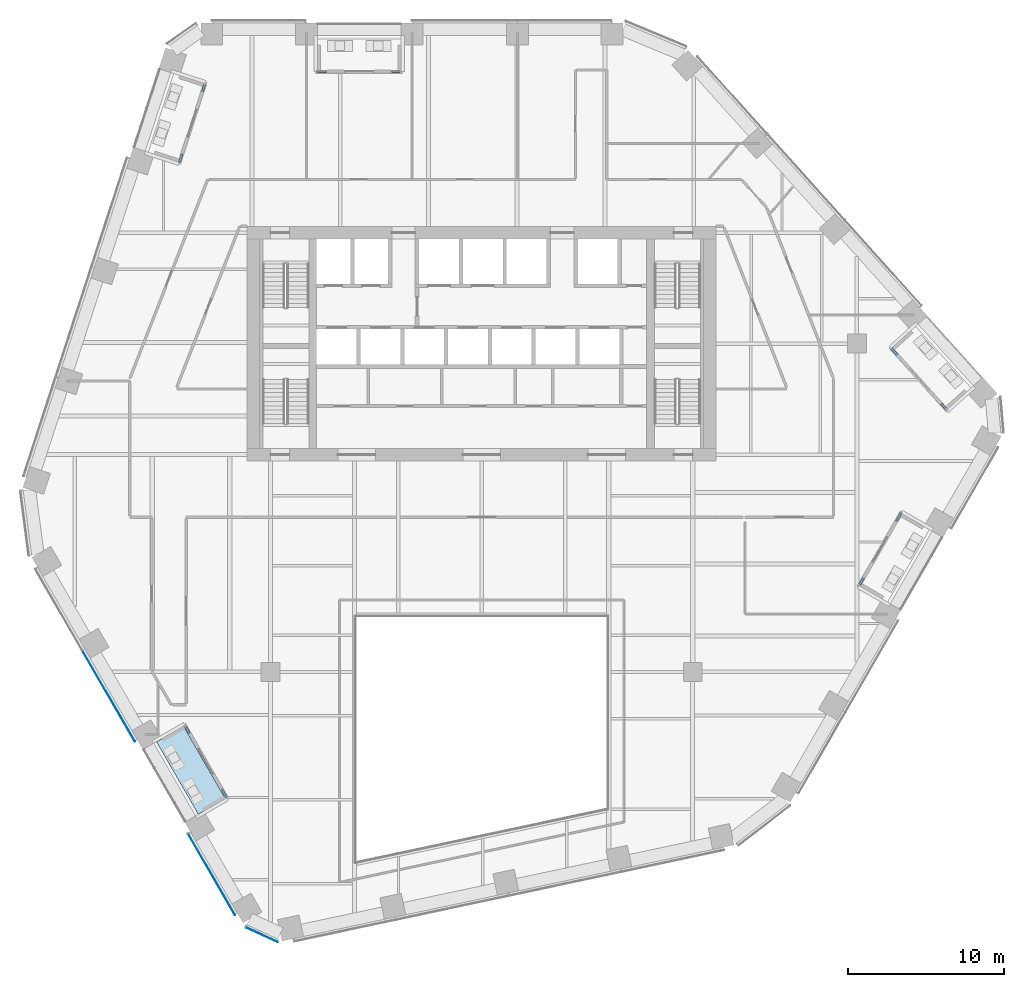
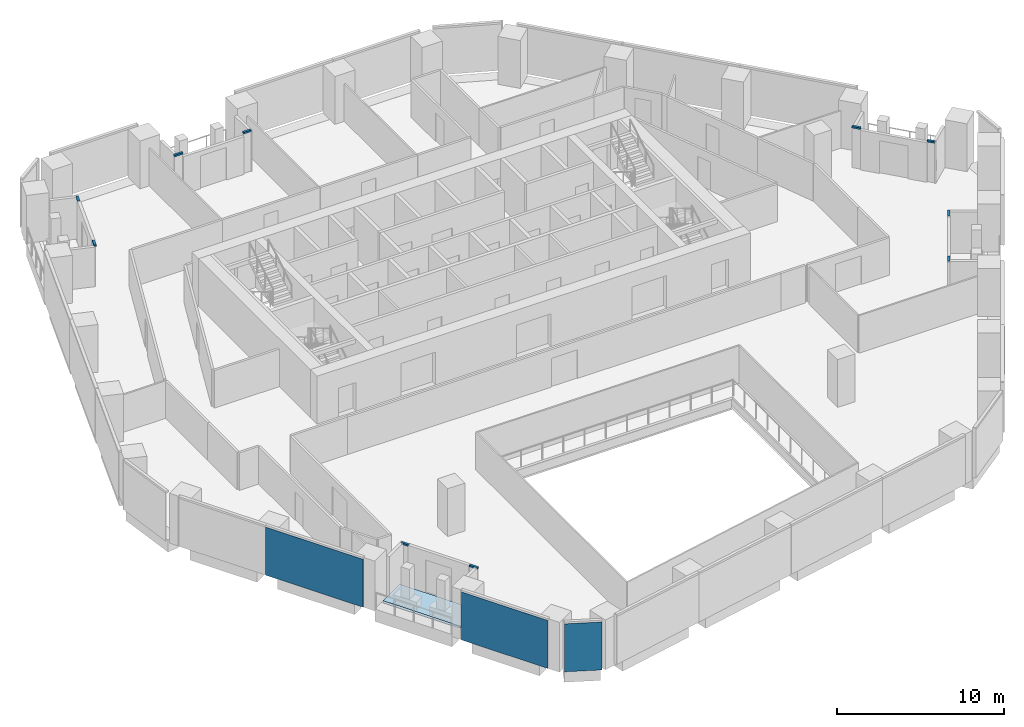
# One storey, part 12 of 26: 10 members, 3 plates, 1 slab, 7 elements without a shape of their own.
"""IFC4 building model written with IfcOpenShell, lengths in metres."""

import ifcopenshell
import ifcopenshell.guid

model = None  # the IFC model being written
_history = None  # IfcOwnerHistory: only IFC2X3 demands one
_inside = {}  # id of a spatial element -> (the spatial element, [elements in it])
_under = {}  # id of a project, library or spatial element -> (it, [spatial elements below it])
_declared = {}  # id of a project -> (the project, [libraries it declares])
_typed = {}  # id of a type object -> (the type object, [elements of that type])
_made_of = {}  # id of a material, layer set ... -> (it, [elements and type objects made of it])


def new_model(schema):
    """Start an empty IFC model of exactly this schema.

    Asked for "IFC4X3", IfcOpenShell would pick the latest addendum, in which some entities
    have other attributes; the version numbers below select the first issue.
    IFC2X3 requires an IfcOwnerHistory on every rooted entity: one is made here for all.
    """
    global model, _history
    if schema == "IFC4X3":
        model = ifcopenshell.file(schema_version=(4, 3, 0, 0))
    else:
        model = ifcopenshell.file(schema=schema)
    _inside.clear()
    _under.clear()
    _declared.clear()
    _typed.clear()
    _made_of.clear()
    _history = None
    if model.schema == "IFC2X3":
        org = make("IfcOrganization", Name="unknown")
        user = make(
            "IfcPersonAndOrganization",
            ThePerson=make("IfcPerson", FamilyName="unknown"),
            TheOrganization=org,
        )
        app = make(
            "IfcApplication",
            ApplicationDeveloper=org,
            Version="unknown",
            ApplicationFullName="unknown",
            ApplicationIdentifier="unknown",
        )
        _history = make(
            "IfcOwnerHistory",
            OwningUser=user,
            OwningApplication=app,
            ChangeAction="ADDED",
            CreationDate=0,
        )
    return model


def make(cls, **values):
    """One entity of the class cls with the attributes given. An attribute that is None is left unset."""
    return model.create_entity(
        cls, **{name: value for name, value in values.items() if value is not None}
    )


def rooted(cls, **values):
    """An entity with a GlobalId (a new one), such as an element, a storey or a relation."""
    return make(cls, GlobalId=ifcopenshell.guid.new(), OwnerHistory=_history, **values)


def si_unit(unit_type, name, prefix=None):
    """IfcSIUnit, for example si_unit("LENGTHUNIT", "METRE", prefix="MILLI")."""
    return make("IfcSIUnit", UnitType=unit_type, Prefix=prefix, Name=name)


def assignment(units):
    """IfcUnitAssignment: the units of a project."""
    return None if units is None else make("IfcUnitAssignment", Units=units)


def point(xyz):
    """IfcCartesianPoint."""
    return None if xyz is None else make("IfcCartesianPoint", Coordinates=xyz)


def direction(xyz):
    """IfcDirection."""
    return None if xyz is None else make("IfcDirection", DirectionRatios=xyz)


def frame(location, z_axis=None, x_axis=None):
    """IfcAxis2Placement3D, a coordinate frame: its origin and axes. An axis left out is left unset."""
    return make(
        "IfcAxis2Placement3D",
        Location=point(location),
        Axis=direction(z_axis),
        RefDirection=direction(x_axis),
    )


def frame_2d(location, x_axis=None):
    """IfcAxis2Placement2D, a coordinate frame in the plane: its origin and x axis."""
    return make(
        "IfcAxis2Placement2D", Location=point(location), RefDirection=direction(x_axis)
    )


def origin():
    """The frame at (0, 0, 0) with its axes left unset."""
    return frame((0.0, 0.0, 0.0))


def origin_2d():
    """The frame at (0, 0) in the plane with its x axis left unset."""
    return frame_2d((0.0, 0.0))


def place(relative_to, where):
    """IfcLocalPlacement: puts the frame where relative to a parent placement (None: the world)."""
    return make(
        "IfcLocalPlacement", PlacementRelTo=relative_to, RelativePlacement=where
    )


def context(
    kind, dimensions, precision=None, world=None, true_north=None, identifier=None
):
    """IfcGeometricRepresentationContext, for example the 3D "Model" context."""
    return make(
        "IfcGeometricRepresentationContext",
        ContextIdentifier=identifier,
        ContextType=kind,
        CoordinateSpaceDimension=dimensions,
        Precision=precision,
        WorldCoordinateSystem=world,
        TrueNorth=true_north,
    )


def subcontext(parent, identifier, kind, view, scale=None):
    """IfcGeometricRepresentationSubContext, for example "Body" below "Model"."""
    return make(
        "IfcGeometricRepresentationSubContext",
        ContextIdentifier=identifier,
        ContextType=kind,
        ParentContext=parent,
        TargetScale=scale,
        TargetView=view,
    )


def project(units=None, contexts=None):
    """IfcProject with its units and contexts."""
    return rooted(
        "IfcProject",
        Name="project",
        RepresentationContexts=contexts,
        UnitsInContext=assignment(units),
    )


def spatial(cls, under=None, at=None, **own):
    """A site, building, storey or space (cls), placed at a placement, below another one or the project."""
    s = rooted(cls, ObjectPlacement=at, **own)
    if under is not None:
        _under.setdefault(under.id(), (under, []))[1].append(s)
    return s


def polyline(points):
    """IfcPolyline through the points."""
    return make("IfcPolyline", Points=[point(p) for p in points])


def profile(cls, at=None, kind="AREA", **sizes):
    """A parametric profile (cls). Its sizes go by their IFC names, for example OverallWidth=200.0."""
    return make(cls, ProfileType=kind, Position=at, **sizes)


def rectangle(**sizes):
    """IfcRectangleProfileDef."""
    return profile("IfcRectangleProfileDef", **sizes)


def outline(outer, holes=None, kind="AREA"):
    """IfcArbitraryClosedProfileDef: a profile drawn as a closed curve; with holes, ...WithVoids."""
    if holes is None:
        return make("IfcArbitraryClosedProfileDef", ProfileType=kind, OuterCurve=outer)
    return make(
        "IfcArbitraryProfileDefWithVoids",
        ProfileType=kind,
        OuterCurve=outer,
        InnerCurves=holes,
    )


def extrude(swept, where, along, depth):
    """IfcExtrudedAreaSolid: the profile swept, set in the frame where, extruded along a direction by depth."""
    return make(
        "IfcExtrudedAreaSolid",
        SweptArea=swept,
        Position=where,
        ExtrudedDirection=direction(along),
        Depth=depth,
    )


def shape(context_of_items, identifier, shape_type, items):
    """IfcShapeRepresentation: the items that make up one representation, for example the "Body"."""
    return make(
        "IfcShapeRepresentation",
        ContextOfItems=context_of_items,
        RepresentationIdentifier=identifier,
        RepresentationType=shape_type,
        Items=items,
    )


def material(Name=None, Category=None):
    """IfcMaterial."""
    return make("IfcMaterial", Name=Name, Category=Category)


def layer(
    of_material, thickness, ventilated=None, Name=None, Category=None, Priority=None
):
    """IfcMaterialLayer: one layer of a wall or slab, of a material (None: an air gap)."""
    return make(
        "IfcMaterialLayer",
        Material=of_material,
        LayerThickness=thickness,
        IsVentilated=ventilated,
        Name=Name,
        Category=Category,
        Priority=Priority,
    )


def layer_set(layers, Name=None):
    """IfcMaterialLayerSet."""
    return make("IfcMaterialLayerSet", MaterialLayers=layers, LayerSetName=Name)


def material_profile(
    of_material, cross_section, Name=None, Category=None, Priority=None
):
    """IfcMaterialProfile: a cross section and its material."""
    return make(
        "IfcMaterialProfile",
        Name=Name,
        Material=of_material,
        Profile=cross_section,
        Priority=Priority,
        Category=Category,
    )


def profile_set(profiles, Name=None, composite=None):
    """IfcMaterialProfileSet."""
    return make(
        "IfcMaterialProfileSet",
        Name=Name,
        MaterialProfiles=profiles,
        CompositeProfile=composite,
    )


def made_of(thing, what):
    """Note that an element or type object is made of a material, layer set ...; save() writes the relation."""
    if what is not None:
        _made_of.setdefault(what.id(), (what, []))[1].append(thing)
    return thing


def type_object(cls, material=None, **own):
    """A type object (cls), such as IfcWallType, which elements share."""
    return made_of(rooted(cls, **own), material)


def element(
    cls,
    number,
    at=None,
    inside=None,
    cuts=None,
    type_object=None,
    material=None,
    context=None,
    identifier="Body",
    shape_type=None,
    held_by="IfcProductDefinitionShape",
    body=None,
    shapes=None,
    **own,
):
    """One element of the class cls, such as IfcWall. Its Tag is "e" and its number.

    at: its placement. inside: the storey or other place that contains it. cuts: it is an
    opening in that element (IfcRelVoidsElement). A single representation is given by context,
    identifier, shape_type and body (its items); several are given by shapes. held_by: the class
    of the entity that holds the representations. save() writes the other relations.
    """
    e = rooted(cls, Tag="e%d" % number, ObjectPlacement=at, **own)
    if body is not None:
        shapes = [shape(context, identifier, shape_type, body)]
    if shapes is not None:
        e.Representation = make(held_by, Representations=shapes)
    if inside is not None:
        _inside.setdefault(inside.id(), (inside, []))[1].append(e)
    if cuts is not None:
        rooted(
            "IfcRelVoidsElement", RelatingBuildingElement=cuts, RelatedOpeningElement=e
        )
    if type_object is not None:
        _typed.setdefault(type_object.id(), (type_object, []))[1].append(e)
    return made_of(e, material)


def aggregate(whole, parts):
    """IfcRelAggregates: a whole, such as a stair, and the parts it consists of."""
    return rooted("IfcRelAggregates", RelatingObject=whole, RelatedObjects=parts)


def save(model, path):
    """Write the relations noted so far, then the file.

    IfcRelAggregates (storeys below a building ...), IfcRelContainedInSpatialStructure (elements
    in a storey), IfcRelDefinesByType, IfcRelAssociatesMaterial and IfcRelDeclares: one each for
    every whole, place, type object, material and project.
    """
    for whole, parts in _under.values():
        aggregate(whole, parts)
    for where, things in _inside.values():
        rooted(
            "IfcRelContainedInSpatialStructure",
            RelatedElements=things,
            RelatingStructure=where,
        )
    for kind, things in _typed.values():
        rooted("IfcRelDefinesByType", RelatedObjects=things, RelatingType=kind)
    for what, things in _made_of.values():
        rooted("IfcRelAssociatesMaterial", RelatedObjects=things, RelatingMaterial=what)
    for by, libraries in _declared.values():
        rooted("IfcRelDeclares", RelatingContext=by, RelatedDefinitions=libraries)
    model.write(path)


model = new_model("IFC4")

# Units and contexts
model_context = context("Model", 3, precision=1e-05, world=origin(), true_north=direction((0.0, 1.0)))
body_context = subcontext(model_context, "Body", "Model", "MODEL_VIEW")
ifc_project = project(units=[si_unit("LENGTHUNIT", "METRE"), si_unit("AREAUNIT", "SQUARE_METRE"), si_unit("VOLUMEUNIT", "CUBIC_METRE"), si_unit("PLANEANGLEUNIT", "RADIAN"), si_unit("MASSUNIT", "GRAM", prefix="KILO")], contexts=[model_context])

# Site, building, storey
site_placement = place(None, origin())
site = spatial("IfcSite", under=ifc_project, at=site_placement, CompositionType="ELEMENT")
building_placement = place(site_placement, origin())
building = spatial("IfcBuilding", under=site, at=building_placement, Name="Isthmus Gate Tower", CompositionType="ELEMENT")
storey_placement = place(building_placement, frame((0.0, 0.0, 129.800048828125)))
storey = spatial("IfcBuildingStorey", under=building, at=storey_placement, Name="L31", CompositionType="ELEMENT", Elevation=129.800048828125)

# Curtain wall, members
ifc_material_1 = material(Name="Aluminium, pale champagne anodised", Category="aluminium")
ifc_layer_1 = layer(ifc_material_1, 0.14990234375)
ifc_layer_set_1 = layer_set([ifc_layer_1], Name="CW-6 LOGGIA BACK WALL GLAZING 150 DEEP")
curtain_wall_type_1 = type_object("IfcCurtainWallType", Name="CW-6 LOGGIA BACK WALL GLAZING 150 DEEP", PredefinedType="NOTDEFINED", material=ifc_layer_set_1)
curtain_wall_1_placement = place(storey_placement, origin())
curtain_wall_1 = element("IfcCurtainWall", 1, at=curtain_wall_1_placement, inside=storey, type_object=curtain_wall_type_1, Name="CW-6 N L31", PredefinedType="NOTDEFINED")
ifc_material_2 = material(Name="Aluminium, pale champagne anodised", Category="aluminium")
ifc_material_profile = material_profile(ifc_material_2, rectangle(XDim=0.14990234375, YDim=0.1201171875, at=origin_2d()), Name="150x120")
ifc_profile_set = profile_set([ifc_material_profile], Name="Aluminium, pale champagne anodised")
member_type = type_object("IfcMemberType", Name="CW-6 TRANSOM 150 X 120", PredefinedType="USERDEFINED", material=ifc_profile_set)
member_1_placement = place(storey_placement, frame((-5.2216796875, 24.89990234375, 2.989990234375), z_axis=(-1.0, 0.0, 0.0), x_axis=(0.0, -1.0, 0.0)))
member_1 = element("IfcMember", 2, at=member_1_placement, type_object=member_type, Name="CW-6 transom", ObjectType="TRANSOM", PredefinedType="USERDEFINED", context=body_context, shape_type="SweptSolid", body=[
    extrude(rectangle(XDim=0.14990234375, YDim=0.1201171875, at=origin_2d()), origin(), (0.0, 0.0, 1.0), 0.51513671875),
])
member_2_placement = place(storey_placement, frame((-9.936767578125, 24.89990234375, 2.989990234375), z_axis=(-1.0, 0.0, 0.0), x_axis=(0.0, -1.0, 0.0)))
member_2 = element("IfcMember", 3, at=member_2_placement, type_object=member_type, Name="CW-6 transom", ObjectType="TRANSOM", PredefinedType="USERDEFINED", context=body_context, shape_type="SweptSolid", body=[
    extrude(rectangle(XDim=0.14990234375, YDim=0.1201171875, at=origin_2d()), origin(), (0.0, 0.0, 1.0), 0.574951171875),
])
aggregate(curtain_wall_1, [member_1, member_2])

curtain_wall_2_placement = place(storey_placement, origin())
curtain_wall_2 = element("IfcCurtainWall", 4, at=curtain_wall_2_placement, inside=storey, type_object=curtain_wall_type_1, Name="CW-6 NW L31", PredefinedType="NOTDEFINED")
member_3_placement = place(storey_placement, frame((-17.7177734375, 24.068359375, 2.989990234375), z_axis=(-0.308972285571, -0.951071041904, 0.0), x_axis=(0.951071041904, -0.308972285571, 0.0)))
member_3 = element("IfcMember", 5, at=member_3_placement, type_object=member_type, Name="CW-6 transom", ObjectType="TRANSOM", PredefinedType="USERDEFINED", context=body_context, shape_type="SweptSolid", body=[
    extrude(rectangle(XDim=0.14990234375, YDim=0.1201171875, at=origin_2d()), origin(), (0.0, 0.0, 1.0), 0.485107421875),
])
member_4_placement = place(storey_placement, frame((-19.16552734375, 19.6123046875, 2.989990234375), z_axis=(-0.309369517224, -0.950941902438, 0.0), x_axis=(0.950941902438, -0.309369517224, 0.0)))
member_4 = element("IfcMember", 6, at=member_4_placement, type_object=member_type, Name="CW-6 transom", ObjectType="TRANSOM", PredefinedType="USERDEFINED", context=body_context, shape_type="SweptSolid", body=[
    extrude(rectangle(XDim=0.14990234375, YDim=0.1201171875, at=origin_2d()), origin(), (0.0, 0.0, 1.0), 0.54541015625),
])
aggregate(curtain_wall_2, [member_3, member_4])

curtain_wall_3_placement = place(storey_placement, origin())
curtain_wall_3 = element("IfcCurtainWall", 7, at=curtain_wall_3_placement, inside=storey, type_object=curtain_wall_type_1, Name="CW-6 SW L31", PredefinedType="NOTDEFINED")
member_5_placement = place(storey_placement, frame((-18.953125, -16.97216796875, 2.989990234375), z_axis=(0.50006436408, -0.865988239976, 0.0), x_axis=(0.865988239976, 0.50006436408, 0.0)))
member_5 = element("IfcMember", 8, at=member_5_placement, type_object=member_type, Name="CW-6 transom", ObjectType="TRANSOM", PredefinedType="USERDEFINED", context=body_context, shape_type="SweptSolid", body=[
    extrude(rectangle(XDim=0.14990234375, YDim=0.1201171875, at=origin_2d()), origin(), (0.0, 0.0, 1.0), 0.51513671875),
])
member_6_placement = place(storey_placement, frame((-16.595703125, -21.055419921875, 2.989990234375), z_axis=(0.500065409566, -0.86598763626, 0.0), x_axis=(0.86598763626, 0.500065409566, 0.0)))
member_6 = element("IfcMember", 9, at=member_6_placement, type_object=member_type, Name="CW-6 transom", ObjectType="TRANSOM", PredefinedType="USERDEFINED", context=body_context, shape_type="SweptSolid", body=[
    extrude(rectangle(XDim=0.14990234375, YDim=0.1201171875, at=origin_2d()), origin(), (0.0, 0.0, 1.0), 0.5751953125),
])
aggregate(curtain_wall_3, [member_5, member_6])

curtain_wall_4_placement = place(storey_placement, origin())
curtain_wall_4 = element("IfcCurtainWall", 10, at=curtain_wall_4_placement, inside=storey, type_object=curtain_wall_type_1, Name="CW-6 SE L31", PredefinedType="NOTDEFINED")
member_7_placement = place(storey_placement, frame((24.1748046875, -7.927978515625, 2.989990234375), z_axis=(0.50006436408, 0.865988239976, 0.0), x_axis=(-0.865988239976, 0.50006436408, 0.0)))
member_7 = element("IfcMember", 11, at=member_7_placement, type_object=member_type, Name="CW-6 transom", ObjectType="TRANSOM", PredefinedType="USERDEFINED", context=body_context, shape_type="SweptSolid", body=[
    extrude(rectangle(XDim=0.14990234375, YDim=0.1201171875, at=origin_2d()), origin(), (0.0, 0.0, 1.0), 0.51513671875),
])
member_8_placement = place(storey_placement, frame((26.532470703125, -3.844482421875, 2.989990234375), z_axis=(0.500065409566, 0.86598763626, 0.0), x_axis=(-0.86598763626, 0.500065409566, 0.0)))
member_8 = element("IfcMember", 12, at=member_8_placement, type_object=member_type, Name="CW-6 transom", ObjectType="TRANSOM", PredefinedType="USERDEFINED", context=body_context, shape_type="SweptSolid", body=[
    extrude(rectangle(XDim=0.14990234375, YDim=0.1201171875, at=origin_2d()), origin(), (0.0, 0.0, 1.0), 0.5751953125),
])
aggregate(curtain_wall_4, [member_7, member_8])

curtain_wall_5_placement = place(storey_placement, origin())
curtain_wall_5 = element("IfcCurtainWall", 13, at=curtain_wall_5_placement, inside=storey, type_object=curtain_wall_type_1, Name="CW-6 NE L31", PredefinedType="NOTDEFINED")
member_9_placement = place(storey_placement, frame((29.702880859375, 3.309814453125, 2.989990234375), z_axis=(-0.669436987936, 0.742868843863, 0.0), x_axis=(-0.742868843863, -0.669436987936, 0.0)))
member_9 = element("IfcMember", 14, at=member_9_placement, type_object=member_type, Name="CW-6 transom", ObjectType="TRANSOM", PredefinedType="USERDEFINED", context=body_context, shape_type="SweptSolid", body=[
    extrude(rectangle(XDim=0.14990234375, YDim=0.1201171875, at=origin_2d()), origin(), (0.0, 0.0, 1.0), 0.4853515625),
])
member_10_placement = place(storey_placement, frame((26.567626953125, 6.791748046875, 2.989990234375), z_axis=(-0.669212005891, 0.743071524936, 0.0), x_axis=(-0.743071524936, -0.669212005891, 0.0)))
member_10 = element("IfcMember", 15, at=member_10_placement, type_object=member_type, Name="CW-6 transom", ObjectType="TRANSOM", PredefinedType="USERDEFINED", context=body_context, shape_type="SweptSolid", body=[
    extrude(rectangle(XDim=0.14990234375, YDim=0.1201171875, at=origin_2d()), origin(), (0.0, 0.0, 1.0), 0.54541015625),
])
aggregate(curtain_wall_5, [member_9, member_10])

# Curtain wall, plates
ifc_material_3 = material(Name="Aluminium, pale champagne anodised", Category="aluminium")
ifc_layer_2 = layer(ifc_material_3, 0.199951171875)
ifc_layer_set_2 = layer_set([ifc_layer_2], Name="CW-1 UNITISED CURTAIN WALL 200 DEEP")
curtain_wall_type_2 = type_object("IfcCurtainWallType", Name="CW-1 UNITISED CURTAIN WALL 200 DEEP", PredefinedType="NOTDEFINED", material=ifc_layer_set_2)
curtain_wall_6_placement = place(storey_placement, origin())
curtain_wall_6 = element("IfcCurtainWall", 16, at=curtain_wall_6_placement, inside=storey, type_object=curtain_wall_type_2, Name="CW-1 SW L31", PredefinedType="NOTDEFINED")
ifc_material_4 = material(Name="Laminated low-iron glass, pale blue tint", Category="glass")
ifc_layer_3 = layer(ifc_material_4, 0.035888671875)
ifc_layer_set_3 = layer_set([ifc_layer_3], Name="CW-1 CLEAR GLASS LITE 36")
plate_type = type_object("IfcPlateType", Name="CW-1 CLEAR GLASS LITE 36", PredefinedType="CURTAIN_PANEL", material=ifc_layer_set_3)
plate_1_placement = place(storey_placement, frame((-23.863037109375, -15.031982421875, 0.0), z_axis=(0.0, 0.0, 1.0), x_axis=(0.5, -0.866025403784, 0.0)))
plate_1 = element("IfcPlate", 17, at=plate_1_placement, type_object=plate_type, Name="CW-1 glass lite", PredefinedType="CURTAIN_PANEL", context=body_context, shape_type="SweptSolid", body=[
    extrude(rectangle(XDim=6.750244140625, YDim=0.035888671875, at=origin_2d()), origin(), (0.0, 0.0, 1.0), 3.510009765625),
])
plate_2_placement = place(storey_placement, frame((-17.27294921875, -26.446533203125, 0.0), z_axis=(0.0, 0.0, 1.0), x_axis=(0.5, -0.866025403784, 0.0)))
plate_2 = element("IfcPlate", 18, at=plate_2_placement, type_object=plate_type, Name="CW-1 glass lite", PredefinedType="CURTAIN_PANEL", context=body_context, shape_type="SweptSolid", body=[
    extrude(rectangle(XDim=5.990234375, YDim=0.035888671875, at=origin_2d()), origin(), (0.0, 0.0, 1.0), 3.510009765625),
])
aggregate(curtain_wall_6, [plate_1, plate_2])

# Curtain wall, plate
curtain_wall_7_placement = place(storey_placement, origin())
curtain_wall_7 = element("IfcCurtainWall", 19, at=curtain_wall_7_placement, inside=storey, type_object=curtain_wall_type_2, Name="CW-1 SW-S L31", PredefinedType="NOTDEFINED")
plate_3_placement = place(storey_placement, frame((-14.07373046875, -30.3095703125, 0.0), z_axis=(0.0, 0.0, 1.0), x_axis=(0.907256261367, -0.420578264073, 0.0)))
plate_3 = element("IfcPlate", 20, at=plate_3_placement, type_object=plate_type, Name="CW-1 glass lite", PredefinedType="CURTAIN_PANEL", context=body_context, shape_type="SweptSolid", body=[
    extrude(rectangle(XDim=2.258544921875, YDim=0.035888671875, at=origin_2d()), origin(), (0.0, 0.0, 1.0), 3.510009765625),
])
aggregate(curtain_wall_7, [plate_3])

# Slab
ifc_material_5 = material(Name="Concrete f'c 50 MPa", Category="concrete")
ifc_layer_4 = layer(ifc_material_5, 0.14990234375)
ifc_layer_set_4 = layer_set([ifc_layer_4], Name="LOGGIA FLOOR SLAB 150")
slab_type = type_object("IfcSlabType", Name="LOGGIA FLOOR SLAB 150", PredefinedType="FLOOR", material=ifc_layer_set_4)
slab_placement = place(storey_placement, frame((0.0, 0.0, -0.150146484375)))
element("IfcSlab", 21, at=slab_placement, inside=storey, type_object=slab_type, Name="LOGGIA FLOOR", PredefinedType="FLOOR", context=body_context, shape_type="SweptSolid", body=[
    extrude(outline(polyline([(-20.8017578125, -17.97021484375), (-18.126708984375, -22.603515625), (-16.394775390625, -21.603515625), (-19.06982421875, -16.97021484375), (-20.8017578125, -17.97021484375)])), origin(), (0.0, 0.0, 1.0), 0.150146484375),
])

save(model, "model.ifc")
